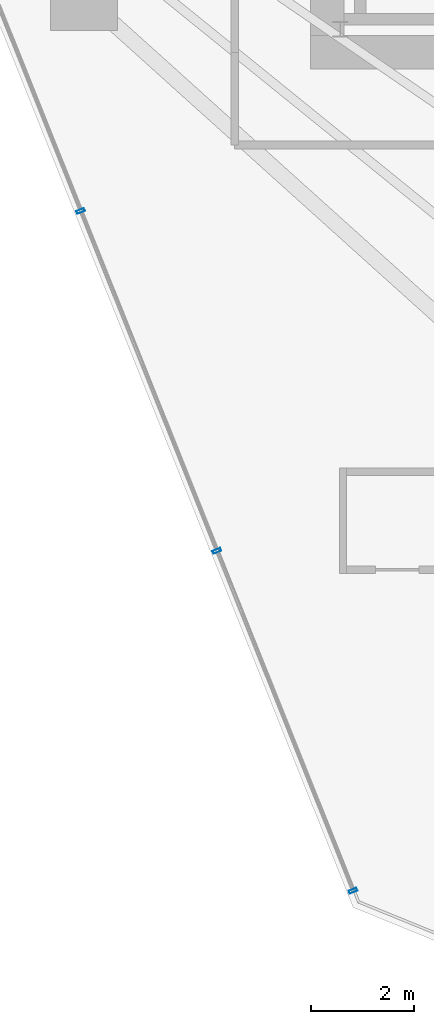
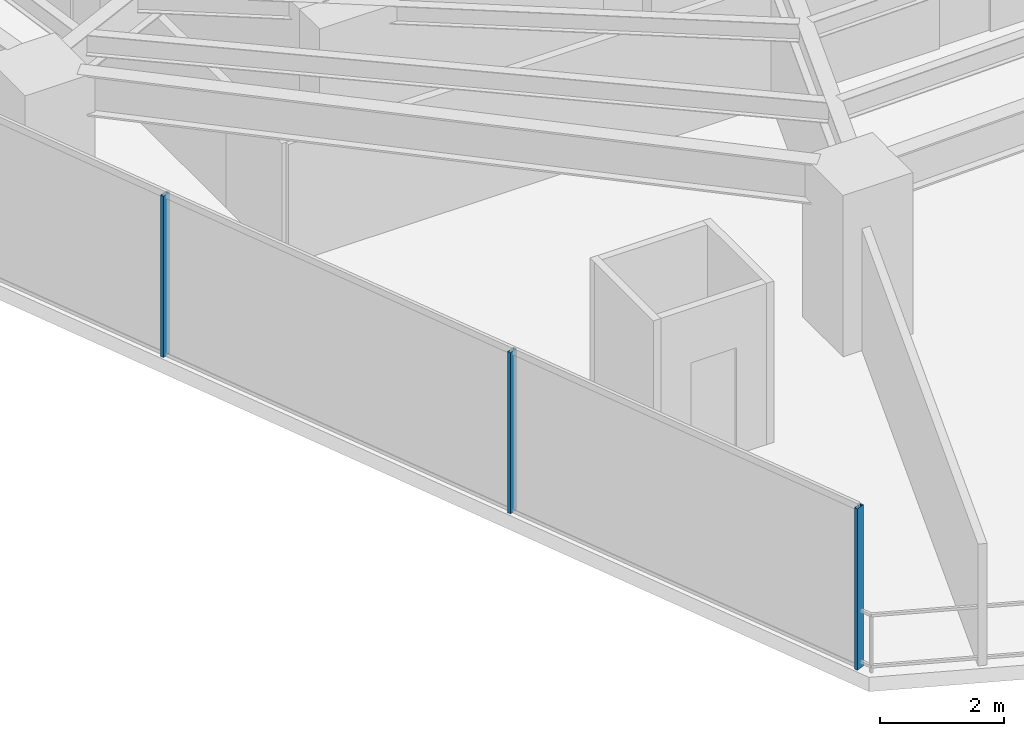
# One storey, part 3 of 32: 3 members, 1 element without a shape of its own.
"""IFC4 building model written with IfcOpenShell, lengths in metres."""

from ifc_helpers import new_model, si_unit, direction, frame, origin, origin_2d, place, context, subcontext, project, spatial, hollow_rectangle, extrude, material, layer, layer_set, material_profile, profile_set, type_object, element, aggregate, save


model = new_model("IFC4")

# Units and contexts
model_context = context("Model", 3, precision=1e-05, world=origin(), true_north=direction((0.0, 1.0)))
body_context = subcontext(model_context, "Body", "Model", "MODEL_VIEW")
ifc_project = project(units=[si_unit("LENGTHUNIT", "METRE"), si_unit("AREAUNIT", "SQUARE_METRE"), si_unit("VOLUMEUNIT", "CUBIC_METRE"), si_unit("PLANEANGLEUNIT", "RADIAN"), si_unit("MASSUNIT", "GRAM", prefix="KILO")], contexts=[model_context])

# Site, building, storey
site_placement = place(None, origin())
site = spatial("IfcSite", under=ifc_project, at=site_placement, CompositionType="ELEMENT")
building_placement = place(site_placement, origin())
building = spatial("IfcBuilding", under=site, at=building_placement, Name="Qarnah Convention Tower", CompositionType="ELEMENT")
storey_placement = place(building_placement, frame((0.0, 0.0, 37.35009765625)))
storey = spatial("IfcBuildingStorey", under=building, at=storey_placement, Name="L08", CompositionType="ELEMENT", Elevation=37.35009765625)

# Curtain wall, members
ifc_material_1 = material(Name="Tempered Low-E dark glass", Category="glass")
ifc_layer = layer(ifc_material_1, 0.16796875)
ifc_layer_set = layer_set([ifc_layer], Name="Tempered Low-E dark glass")
curtain_wall_type = type_object("IfcCurtainWallType", Name="CWS-01", PredefinedType="NOTDEFINED", material=ifc_layer_set)
curtain_wall_placement = place(storey_placement, origin())
curtain_wall = element("IfcCurtainWall", 1, at=curtain_wall_placement, inside=storey, type_object=curtain_wall_type, Name="L08 unitised curtain wall CW-L08-F1", PredefinedType="NOTDEFINED")
ifc_material_2 = material(Name="Black anodised aluminium", Category="aluminium")
ifc_material_profile = material_profile(ifc_material_2, hollow_rectangle(XDim=0.06005859375, YDim=0.159912109375, WallThickness=0.00390625, at=origin_2d()), Name="MUL-60X160")
ifc_profile_set = profile_set([ifc_material_profile], Name="Black anodised aluminium")
member_type = type_object("IfcMemberType", Name="MUL-T1", PredefinedType="MULLION", material=ifc_profile_set)
member_1_placement = place(storey_placement, frame((27.298095703125, 2.3310546875, 0.0), z_axis=(0.0, 0.0, 1.0), x_axis=(-0.372016711815, 0.92822603181, 0.0)))
member_1 = element("IfcMember", 2, at=member_1_placement, type_object=member_type, Name="CW-L08-F1 mullion 1", PredefinedType="MULLION", context=body_context, shape_type="SweptSolid", body=[
    extrude(hollow_rectangle(XDim=0.06005859375, YDim=0.159912109375, WallThickness=0.00390625, at=origin_2d()), origin(), (0.0, 0.0, 1.0), 3.169921875),
])
member_2_placement = place(storey_placement, frame((24.655029296875, 8.925537109375, 0.0), z_axis=(0.0, 0.0, 1.0), x_axis=(-0.372016711815, 0.92822603181, 0.0)))
member_2 = element("IfcMember", 3, at=member_2_placement, type_object=member_type, Name="CW-L08-F1 mullion 2", PredefinedType="MULLION", context=body_context, shape_type="SweptSolid", body=[
    extrude(hollow_rectangle(XDim=0.06005859375, YDim=0.159912109375, WallThickness=0.00390625, at=origin_2d()), origin(), (0.0, 0.0, 1.0), 3.169921875),
])
member_3_placement = place(storey_placement, frame((22.011962890625, 15.520263671875, 0.0), z_axis=(0.0, 0.0, 1.0), x_axis=(-0.372016711815, 0.92822603181, 0.0)))
member_3 = element("IfcMember", 4, at=member_3_placement, type_object=member_type, Name="CW-L08-F1 mullion 3", PredefinedType="MULLION", context=body_context, shape_type="SweptSolid", body=[
    extrude(hollow_rectangle(XDim=0.06005859375, YDim=0.159912109375, WallThickness=0.00390625, at=origin_2d()), origin(), (0.0, 0.0, 1.0), 3.169921875),
])
aggregate(curtain_wall, [member_1, member_2, member_3])

save(model, "model.ifc")
